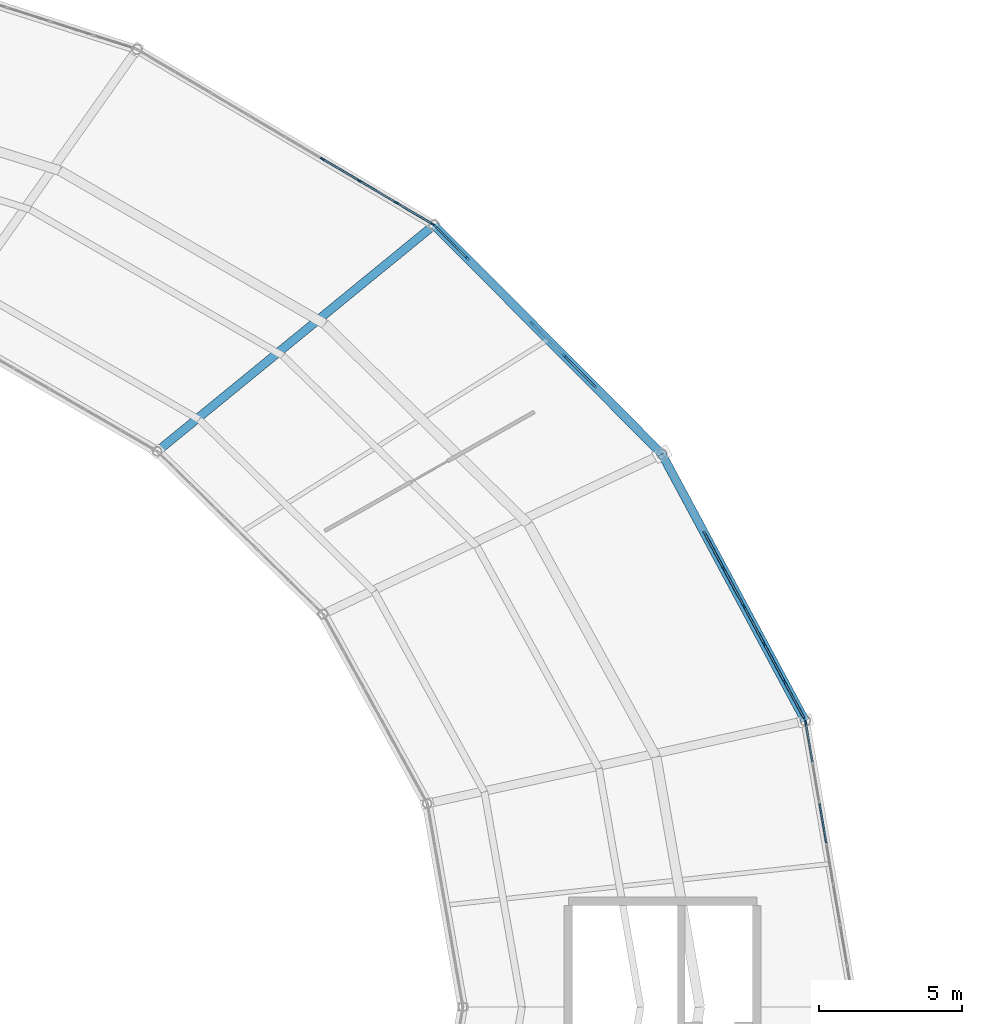
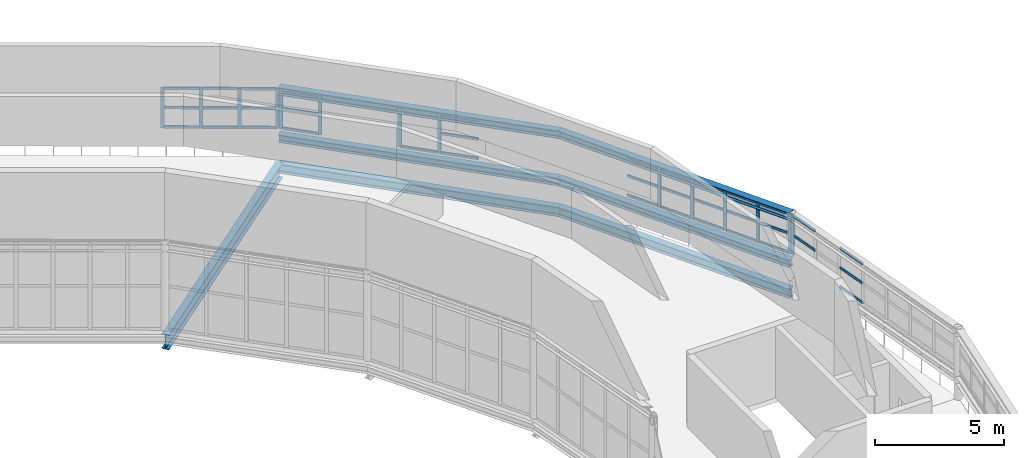
# One storey, part 68 of 123: 50 members, 7 beams, 4 elements without a shape of their own.
"""IFC4 building model written with IfcOpenShell, lengths in metres."""

from ifc_helpers import new_model, si_unit, direction, frame, origin, origin_2d, place, context, subcontext, project, spatial, rectangle, i_section, extrude, material, material_profile, profile_set, type_object, element, aggregate, save


model = new_model("IFC4")

# Units and contexts
model_context = context("Model", 3, precision=1e-05, world=origin(), true_north=direction((0.0, 1.0)))
body_context = subcontext(model_context, "Body", "Model", "MODEL_VIEW")
ifc_project = project(units=[si_unit("LENGTHUNIT", "METRE"), si_unit("AREAUNIT", "SQUARE_METRE"), si_unit("VOLUMEUNIT", "CUBIC_METRE"), si_unit("PLANEANGLEUNIT", "RADIAN"), si_unit("MASSUNIT", "GRAM", prefix="KILO")], contexts=[model_context])

# Site, building, storey
site_placement = place(None, origin())
site = spatial("IfcSite", under=ifc_project, at=site_placement, CompositionType="ELEMENT")
building_placement = place(site_placement, origin())
building = spatial("IfcBuilding", under=site, at=building_placement, Name="Kildeholm Park Wholesale Market", CompositionType="ELEMENT")
storey_placement = place(building_placement, frame((0.0, 0.0, 9.60009765625)))
storey = spatial("IfcBuildingStorey", under=building, at=storey_placement, Name="L02", CompositionType="ELEMENT", Elevation=9.60009765625)

# Beams
ifc_material_1 = material(Name="Steel S355", Category="steel")
ifc_material_profile_1 = material_profile(ifc_material_1, i_section(OverallWidth=0.300048828125, OverallDepth=0.699951171875, WebThickness=0.01708984375, FlangeThickness=0.031982421875, FilletRadius=0.027099609375, at=origin_2d()), Name="HEB 700")
ifc_profile_set_1 = profile_set([ifc_material_profile_1], Name="Steel S355")
beam_type_1 = type_object("IfcBeamType", Name="Beam B-G01 HEB 700", PredefinedType="BEAM", material=ifc_profile_set_1)
beam_1_placement = place(storey_placement, frame((124.80908203125, 108.945068359375, -0.60009765625), z_axis=(0.774216280002, 0.632921126034, 0.0), x_axis=(-0.632921126034, 0.774216280002, 0.0)))
element("IfcBeam", 1, at=beam_1_placement, inside=storey, type_object=beam_type_1, Name="Beam BM-V1-L02-R1-03 BM-0029", PredefinedType="BEAM", context=body_context, shape_type="SweptSolid", body=[
    extrude(i_section(OverallWidth=0.300048828125, OverallDepth=0.699951171875, WebThickness=0.01708984375, FlangeThickness=0.031982421875, FilletRadius=0.027099609375, at=origin_2d()), origin(), (0.0, 0.0, 1.0), 12.51318359375),
])
ifc_material_profile_2 = material_profile(ifc_material_1, i_section(OverallWidth=0.300048828125, OverallDepth=0.35009765625, WebThickness=0.010009765625, FlangeThickness=0.017578125, FilletRadius=0.027099609375, at=origin_2d()), Name="HEA 360")
ifc_profile_set_2 = profile_set([ifc_material_profile_2], Name="Steel S355")
beam_type_2 = type_object("IfcBeamType", Name="Beam B-R01 HEA 360", PredefinedType="BEAM", material=ifc_profile_set_2)
beam_2_placement = place(storey_placement, frame((147.489013671875, 99.51611328125, 0.9462890625), z_axis=(-0.473287580572, 0.880907978211, 0.0), x_axis=(-0.880907978211, -0.473287580572, 0.0)))
element("IfcBeam", 2, at=beam_2_placement, inside=storey, type_object=beam_type_2, Name="Beam BM-V1-S1IN-01 BM-0227", PredefinedType="BEAM", context=body_context, shape_type="SweptSolid", body=[
    extrude(i_section(OverallWidth=0.300048828125, OverallDepth=0.35009765625, WebThickness=0.010009765625, FlangeThickness=0.017578125, FilletRadius=0.027099609375, at=origin_2d()), origin(), (0.0, 0.0, 1.0), 10.595947265625),
])
beam_3_placement = place(storey_placement, frame((142.47412109375, 108.85009765625, 0.94580078125), z_axis=(-0.705431576708, 0.708778026313, 0.0), x_axis=(-0.708778026313, -0.705431576708, 0.0)))
element("IfcBeam", 3, at=beam_3_placement, inside=storey, type_object=beam_type_2, Name="Beam BM-V1-S1IN-02 BM-0233", PredefinedType="BEAM", context=body_context, shape_type="SweptSolid", body=[
    extrude(i_section(OverallWidth=0.300048828125, OverallDepth=0.35009765625, WebThickness=0.010009765625, FlangeThickness=0.017578125, FilletRadius=0.027099609375, at=origin_2d()), origin(), (0.0, 0.0, 1.0), 11.30810546875),
])
ifc_material_profile_3 = material_profile(ifc_material_1, i_section(OverallWidth=0.300048828125, OverallDepth=0.43994140625, WebThickness=0.011474609375, FlangeThickness=0.02099609375, FilletRadius=0.027099609375, at=origin_2d()), Name="HEA 450")
ifc_profile_set_3 = profile_set([ifc_material_profile_3], Name="Steel S355")
beam_type_3 = type_object("IfcBeamType", Name="Beam B-R02 HEA 450", PredefinedType="BEAM", material=ifc_profile_set_3)
beam_4_placement = place(storey_placement, frame((147.489013671875, 99.51611328125, -0.47412109375), z_axis=(-0.473287580572, 0.880907978211, 0.0), x_axis=(-0.880907978211, -0.473287580572, 0.0)))
element("IfcBeam", 4, at=beam_4_placement, inside=storey, type_object=beam_type_3, Name="Beam BM-V1-L02-CM-01 BM-0016", PredefinedType="BEAM", context=body_context, shape_type="SweptSolid", body=[
    extrude(i_section(OverallWidth=0.300048828125, OverallDepth=0.43994140625, WebThickness=0.011474609375, FlangeThickness=0.02099609375, FilletRadius=0.027099609375, at=origin_2d()), origin(), (0.0, 0.0, 1.0), 10.595947265625),
])
beam_5_placement = place(storey_placement, frame((142.47412109375, 108.85009765625, -0.47412109375), z_axis=(-0.705431576708, 0.708778026313, 0.0), x_axis=(-0.708778026313, -0.705431576708, 0.0)))
element("IfcBeam", 5, at=beam_5_placement, inside=storey, type_object=beam_type_3, Name="Beam BM-V1-L02-CM-02 BM-0025", PredefinedType="BEAM", context=body_context, shape_type="SweptSolid", body=[
    extrude(i_section(OverallWidth=0.300048828125, OverallDepth=0.43994140625, WebThickness=0.011474609375, FlangeThickness=0.02099609375, FilletRadius=0.027099609375, at=origin_2d()), origin(), (0.0, 0.0, 1.0), 11.30810546875),
])
ifc_material_profile_4 = material_profile(ifc_material_1, i_section(OverallWidth=0.300048828125, OverallDepth=0.360107421875, WebThickness=0.012451171875, FlangeThickness=0.0224609375, FilletRadius=0.027099609375, at=origin_2d()), Name="HEB 360")
ifc_profile_set_4 = profile_set([ifc_material_profile_4], Name="Steel S355")
beam_type_4 = type_object("IfcBeamType", Name="Beam B-R03 HEB 360", PredefinedType="BEAM", material=ifc_profile_set_4)
beam_6_placement = place(storey_placement, frame((147.489013671875, 99.51611328125, 3.189453125), z_axis=(-0.473287580572, 0.880907978211, 0.0), x_axis=(-0.880907978211, -0.473287580572, 0.0)))
element("IfcBeam", 6, at=beam_6_placement, inside=storey, type_object=beam_type_4, Name="Beam BM-V1-RF-M1-01 BM-0228", PredefinedType="BEAM", context=body_context, shape_type="SweptSolid", body=[
    extrude(i_section(OverallWidth=0.300048828125, OverallDepth=0.360107421875, WebThickness=0.012451171875, FlangeThickness=0.0224609375, FilletRadius=0.027099609375, at=origin_2d()), origin(), (0.0, 0.0, 1.0), 10.595947265625),
])
beam_7_placement = place(storey_placement, frame((142.47412109375, 108.85009765625, 3.188720703125), z_axis=(-0.705431576708, 0.708778026313, 0.0), x_axis=(-0.708778026313, -0.705431576708, 0.0)))
element("IfcBeam", 7, at=beam_7_placement, inside=storey, type_object=beam_type_4, Name="Beam BM-V1-RF-M1-02 BM-0234", PredefinedType="BEAM", context=body_context, shape_type="SweptSolid", body=[
    extrude(i_section(OverallWidth=0.300048828125, OverallDepth=0.360107421875, WebThickness=0.012451171875, FlangeThickness=0.0224609375, FilletRadius=0.027099609375, at=origin_2d()), origin(), (0.0, 0.0, 1.0), 11.30810546875),
])

# Curtain wall, member
ifc_material_2 = material(Name="Anodised aluminium and low-E double-glazed glass", Category="aluminium")
curtain_wall_type = type_object("IfcCurtainWallType", Name="Clerestory daylight stick curtain wall CW-02", PredefinedType="NOTDEFINED", material=ifc_material_2)
curtain_wall_1_placement = place(storey_placement, origin())
curtain_wall_1 = element("IfcCurtainWall", 8, at=curtain_wall_1_placement, inside=storey, type_object=curtain_wall_type, Name="Curtain wall CW-V1-CL-00 CW-0002", PredefinedType="NOTDEFINED")
ifc_material_3 = material(Name="Anodised aluminium", Category="aluminium")
ifc_material_profile_5 = material_profile(ifc_material_3, rectangle(XDim=0.06005859375, YDim=0.14990234375, at=origin_2d()), Name="CWM 60x150")
ifc_profile_set_5 = profile_set([ifc_material_profile_5], Name="Anodised aluminium")
member_type_1 = type_object("IfcMemberType", Name="Curtain-wall mullion CWM-3 CWM 60x150", PredefinedType="MULLION", material=ifc_profile_set_5)
member_1_placement = place(storey_placement, frame((147.508056640625, 99.448486328125, 1.349853515625), z_axis=(0.0, 0.0, 1.0), x_axis=(-0.985732010437, -0.168322320564, 0.0)))
member_1 = element("IfcMember", 9, at=member_1_placement, type_object=member_type_1, Name="CW-02 mullion 8 MEM-0434", PredefinedType="MULLION", context=body_context, shape_type="SweptSolid", body=[
    extrude(rectangle(XDim=0.06005859375, YDim=0.14990234375, at=origin_2d()), origin(), (0.0, 0.0, 1.0), 1.900146484375),
])

# Curtain wall, members
curtain_wall_2_placement = place(storey_placement, origin())
curtain_wall_2 = element("IfcCurtainWall", 10, at=curtain_wall_2_placement, inside=storey, type_object=curtain_wall_type, Name="Curtain wall CW-V1-CL-01 CW-0007", PredefinedType="NOTDEFINED")
member_2_placement = place(storey_placement, frame((147.462890625, 99.579345703125, 1.349853515625), z_axis=(0.0, 0.0, 1.0), x_axis=(-0.880879905062, -0.473339828092, 0.0)))
member_2 = element("IfcMember", 11, at=member_2_placement, type_object=member_type_1, Name="CW-02 mullion 1 MEM-0552", PredefinedType="MULLION", context=body_context, shape_type="SweptSolid", body=[
    extrude(rectangle(XDim=0.06005859375, YDim=0.14990234375, at=origin_2d()), origin(), (0.0, 0.0, 1.0), 1.900146484375),
])
member_3_placement = place(storey_placement, frame((146.765869140625, 100.87646484375, 1.349853515625), z_axis=(0.0, 0.0, 1.0), x_axis=(-0.880879905062, -0.473339828092, 0.0)))
member_3 = element("IfcMember", 12, at=member_3_placement, type_object=member_type_1, Name="CW-02 mullion 2 MEM-0553", PredefinedType="MULLION", context=body_context, shape_type="SweptSolid", body=[
    extrude(rectangle(XDim=0.06005859375, YDim=0.14990234375, at=origin_2d()), origin(), (0.0, 0.0, 1.0), 1.900146484375),
])
member_4_placement = place(storey_placement, frame((146.0546875, 102.199951171875, 1.349853515625), z_axis=(0.0, 0.0, 1.0), x_axis=(-0.880879905062, -0.473339828092, 0.0)))
member_4 = element("IfcMember", 13, at=member_4_placement, type_object=member_type_1, Name="CW-02 mullion 3 MEM-0554", PredefinedType="MULLION", context=body_context, shape_type="SweptSolid", body=[
    extrude(rectangle(XDim=0.06005859375, YDim=0.14990234375, at=origin_2d()), origin(), (0.0, 0.0, 1.0), 1.900146484375),
])
member_5_placement = place(storey_placement, frame((145.343505859375, 103.523193359375, 1.349853515625), z_axis=(0.0, 0.0, 1.0), x_axis=(-0.880879905062, -0.473339828092, 0.0)))
member_5 = element("IfcMember", 14, at=member_5_placement, type_object=member_type_1, Name="CW-02 mullion 4 MEM-0555", PredefinedType="MULLION", context=body_context, shape_type="SweptSolid", body=[
    extrude(rectangle(XDim=0.06005859375, YDim=0.14990234375, at=origin_2d()), origin(), (0.0, 0.0, 1.0), 1.900146484375),
])
member_6_placement = place(storey_placement, frame((144.63232421875, 104.8466796875, 1.349853515625), z_axis=(0.0, 0.0, 1.0), x_axis=(-0.880879905062, -0.473339828092, 0.0)))
member_6 = element("IfcMember", 15, at=member_6_placement, type_object=member_type_1, Name="CW-02 mullion 5 MEM-0556", PredefinedType="MULLION", context=body_context, shape_type="SweptSolid", body=[
    extrude(rectangle(XDim=0.06005859375, YDim=0.14990234375, at=origin_2d()), origin(), (0.0, 0.0, 1.0), 1.900146484375),
])

curtain_wall_3_placement = place(storey_placement, origin())
curtain_wall_3 = element("IfcCurtainWall", 16, at=curtain_wall_3_placement, inside=storey, type_object=curtain_wall_type, Name="Curtain wall CW-V1-CL-02 CW-0012", PredefinedType="NOTDEFINED")
member_7_placement = place(storey_placement, frame((139.056396484375, 112.2919921875, 1.349853515625), z_axis=(0.0, 0.0, 1.0), x_axis=(-0.708796820959, -0.705412692399, 0.0)))
member_7 = element("IfcMember", 17, at=member_7_placement, type_object=member_type_1, Name="CW-02 mullion 4 MEM-0684", PredefinedType="MULLION", context=body_context, shape_type="SweptSolid", body=[
    extrude(rectangle(XDim=0.06005859375, YDim=0.14990234375, at=origin_2d()), origin(), (0.0, 0.0, 1.0), 1.900146484375),
])
member_8_placement = place(storey_placement, frame((137.9248046875, 113.428955078125, 1.349853515625), z_axis=(0.0, 0.0, 1.0), x_axis=(-0.708796820959, -0.705412692399, 0.0)))
member_8 = element("IfcMember", 18, at=member_8_placement, type_object=member_type_1, Name="CW-02 mullion 5 MEM-0685", PredefinedType="MULLION", context=body_context, shape_type="SweptSolid", body=[
    extrude(rectangle(XDim=0.06005859375, YDim=0.14990234375, at=origin_2d()), origin(), (0.0, 0.0, 1.0), 1.900146484375),
])
member_9_placement = place(storey_placement, frame((135.66162109375, 115.702880859375, 1.349853515625), z_axis=(0.0, 0.0, 1.0), x_axis=(-0.708796820959, -0.705412692399, 0.0)))
member_9 = element("IfcMember", 19, at=member_9_placement, type_object=member_type_1, Name="CW-02 mullion 7 MEM-0687", PredefinedType="MULLION", context=body_context, shape_type="SweptSolid", body=[
    extrude(rectangle(XDim=0.06005859375, YDim=0.14990234375, at=origin_2d()), origin(), (0.0, 0.0, 1.0), 1.900146484375),
])
member_10_placement = place(storey_placement, frame((134.55126953125, 116.81884765625, 1.349853515625), z_axis=(0.0, 0.0, 1.0), x_axis=(-0.708796820959, -0.705412692399, 0.0)))
member_10 = element("IfcMember", 20, at=member_10_placement, type_object=member_type_1, Name="CW-02 mullion 8 MEM-0688", PredefinedType="MULLION", context=body_context, shape_type="SweptSolid", body=[
    extrude(rectangle(XDim=0.06005859375, YDim=0.14990234375, at=origin_2d()), origin(), (0.0, 0.0, 1.0), 1.900146484375),
])

curtain_wall_4_placement = place(storey_placement, origin())
curtain_wall_4 = element("IfcCurtainWall", 21, at=curtain_wall_4_placement, inside=storey, type_object=curtain_wall_type, Name="Curtain wall CW-V1-CL-03 CW-0017", PredefinedType="NOTDEFINED")
member_11_placement = place(storey_placement, frame((134.440185546875, 116.904296875, 1.349853515625), z_axis=(0.0, 0.0, 1.0), x_axis=(-0.509105492275, -0.860704129033, 0.0)))
member_11 = element("IfcMember", 22, at=member_11_placement, type_object=member_type_1, Name="CW-02 mullion 1 MEM-0810", PredefinedType="MULLION", context=body_context, shape_type="SweptSolid", body=[
    extrude(rectangle(XDim=0.06005859375, YDim=0.14990234375, at=origin_2d()), origin(), (0.0, 0.0, 1.0), 1.900146484375),
])
member_12_placement = place(storey_placement, frame((133.175048828125, 117.652587890625, 1.349853515625), z_axis=(0.0, 0.0, 1.0), x_axis=(-0.509105492275, -0.860704129033, 0.0)))
member_12 = element("IfcMember", 23, at=member_12_placement, type_object=member_type_1, Name="CW-02 mullion 2 MEM-0811", PredefinedType="MULLION", context=body_context, shape_type="SweptSolid", body=[
    extrude(rectangle(XDim=0.06005859375, YDim=0.14990234375, at=origin_2d()), origin(), (0.0, 0.0, 1.0), 1.900146484375),
])
member_13_placement = place(storey_placement, frame((131.884033203125, 118.416259765625, 1.349853515625), z_axis=(0.0, 0.0, 1.0), x_axis=(-0.509105492275, -0.860704129033, 0.0)))
member_13 = element("IfcMember", 24, at=member_13_placement, type_object=member_type_1, Name="CW-02 mullion 3 MEM-0812", PredefinedType="MULLION", context=body_context, shape_type="SweptSolid", body=[
    extrude(rectangle(XDim=0.06005859375, YDim=0.14990234375, at=origin_2d()), origin(), (0.0, 0.0, 1.0), 1.900146484375),
])
member_14_placement = place(storey_placement, frame((130.593017578125, 119.179931640625, 1.349853515625), z_axis=(0.0, 0.0, 1.0), x_axis=(-0.509105492275, -0.860704129033, 0.0)))
member_14 = element("IfcMember", 25, at=member_14_placement, type_object=member_type_1, Name="CW-02 mullion 4 MEM-0813", PredefinedType="MULLION", context=body_context, shape_type="SweptSolid", body=[
    extrude(rectangle(XDim=0.06005859375, YDim=0.14990234375, at=origin_2d()), origin(), (0.0, 0.0, 1.0), 1.900146484375),
])

# Member
ifc_material_profile_6 = material_profile(ifc_material_3, rectangle(XDim=0.06005859375, YDim=0.1201171875, at=origin_2d()), Name="CWT 60x120")
ifc_profile_set_6 = profile_set([ifc_material_profile_6], Name="Anodised aluminium")
member_type_2 = type_object("IfcMemberType", Name="Curtain-wall transom CWT-3 CWT 60x120", PredefinedType="USERDEFINED", material=ifc_profile_set_6)
member_15_placement = place(storey_placement, frame((148.225341796875, 95.24853515625, 1.3798828125), z_axis=(-0.168413853198, 0.985716376069, 0.0), x_axis=(-0.985716376069, -0.168413853198, 0.0)))
member_15 = element("IfcMember", 26, at=member_15_placement, type_object=member_type_2, Name="CW-02 transom 5.1 MEM-0447", ObjectType="TRANSOM", PredefinedType="USERDEFINED", context=body_context, shape_type="SweptSolid", body=[
    extrude(rectangle(XDim=0.06005859375, YDim=0.1201171875, at=origin_2d()), origin(), (0.0, 0.0, 1.0), 1.380126953125),
])

member_16_placement = place(storey_placement, frame((148.225341796875, 95.24853515625, 2.2998046875), z_axis=(-0.168413853198, 0.985716376069, 0.0), x_axis=(-0.985716376069, -0.168413853198, 0.0)))
member_16 = element("IfcMember", 27, at=member_16_placement, type_object=member_type_2, Name="CW-02 transom 5.2 MEM-0448", ObjectType="TRANSOM", PredefinedType="USERDEFINED", context=body_context, shape_type="SweptSolid", body=[
    extrude(rectangle(XDim=0.06005859375, YDim=0.1201171875, at=origin_2d()), origin(), (0.0, 0.0, 1.0), 1.380126953125),
])

member_17_placement = place(storey_placement, frame((148.225341796875, 95.24853515625, 3.219970703125), z_axis=(-0.168413853198, 0.985716376069, 0.0), x_axis=(-0.985716376069, -0.168413853198, 0.0)))
member_17 = element("IfcMember", 28, at=member_17_placement, type_object=member_type_2, Name="CW-02 transom 5.3 MEM-0449", ObjectType="TRANSOM", PredefinedType="USERDEFINED", context=body_context, shape_type="SweptSolid", body=[
    extrude(rectangle(XDim=0.06005859375, YDim=0.1201171875, at=origin_2d()), origin(), (0.0, 0.0, 1.0), 1.380126953125),
])

member_18_placement = place(storey_placement, frame((147.740478515625, 98.087890625, 2.2998046875), z_axis=(-0.168326457098, 0.985731304079, 0.0), x_axis=(-0.985731304079, -0.168326457098, 0.0)))
member_18 = element("IfcMember", 29, at=member_18_placement, type_object=member_type_2, Name="CW-02 transom 7.2 MEM-0454", ObjectType="TRANSOM", PredefinedType="USERDEFINED", context=body_context, shape_type="SweptSolid", body=[
    extrude(rectangle(XDim=0.06005859375, YDim=0.1201171875, at=origin_2d()), origin(), (0.0, 0.0, 1.0), 1.350341796875),
])

member_19_placement = place(storey_placement, frame((147.740478515625, 98.087890625, 3.219970703125), z_axis=(-0.168326457098, 0.985731304079, 0.0), x_axis=(-0.985731304079, -0.168326457098, 0.0)))
member_19 = element("IfcMember", 30, at=member_19_placement, type_object=member_type_2, Name="CW-02 transom 7.3 MEM-0455", ObjectType="TRANSOM", PredefinedType="USERDEFINED", context=body_context, shape_type="SweptSolid", body=[
    extrude(rectangle(XDim=0.06005859375, YDim=0.1201171875, at=origin_2d()), origin(), (0.0, 0.0, 1.0), 1.350341796875),
])

aggregate(curtain_wall_1, [member_1, member_15, member_16, member_17, member_18, member_19])

member_20_placement = place(storey_placement, frame((147.448486328125, 99.60595703125, 1.3798828125), z_axis=(-0.473295580146, 0.880903680214, 0.0), x_axis=(-0.880903680214, -0.473295580146, 0.0)))
member_20 = element("IfcMember", 31, at=member_20_placement, type_object=member_type_2, Name="CW-02 transom 1.1 MEM-0560", ObjectType="TRANSOM", PredefinedType="USERDEFINED", context=body_context, shape_type="SweptSolid", body=[
    extrude(rectangle(XDim=0.06005859375, YDim=0.1201171875, at=origin_2d()), origin(), (0.0, 0.0, 1.0), 1.412353515625),
])

member_21_placement = place(storey_placement, frame((147.448486328125, 99.60595703125, 2.2998046875), z_axis=(-0.473295580146, 0.880903680214, 0.0), x_axis=(-0.880903680214, -0.473295580146, 0.0)))
member_21 = element("IfcMember", 32, at=member_21_placement, type_object=member_type_2, Name="CW-02 transom 1.2 MEM-0561", ObjectType="TRANSOM", PredefinedType="USERDEFINED", context=body_context, shape_type="SweptSolid", body=[
    extrude(rectangle(XDim=0.06005859375, YDim=0.1201171875, at=origin_2d()), origin(), (0.0, 0.0, 1.0), 1.412353515625),
])

member_22_placement = place(storey_placement, frame((147.448486328125, 99.60595703125, 3.219970703125), z_axis=(-0.473295580146, 0.880903680214, 0.0), x_axis=(-0.880903680214, -0.473295580146, 0.0)))
member_22 = element("IfcMember", 33, at=member_22_placement, type_object=member_type_2, Name="CW-02 transom 1.3 MEM-0562", ObjectType="TRANSOM", PredefinedType="USERDEFINED", context=body_context, shape_type="SweptSolid", body=[
    extrude(rectangle(XDim=0.06005859375, YDim=0.1201171875, at=origin_2d()), origin(), (0.0, 0.0, 1.0), 1.412353515625),
])

member_23_placement = place(storey_placement, frame((146.751708984375, 100.90283203125, 1.3798828125), z_axis=(-0.473423415048, 0.880834984594, 0.0), x_axis=(-0.880834984594, -0.473423415048, 0.0)))
member_23 = element("IfcMember", 34, at=member_23_placement, type_object=member_type_2, Name="CW-02 transom 2.1 MEM-0563", ObjectType="TRANSOM", PredefinedType="USERDEFINED", context=body_context, shape_type="SweptSolid", body=[
    extrude(rectangle(XDim=0.06005859375, YDim=0.1201171875, at=origin_2d()), origin(), (0.0, 0.0, 1.0), 1.4423828125),
])

member_24_placement = place(storey_placement, frame((146.751708984375, 100.90283203125, 2.2998046875), z_axis=(-0.473423415048, 0.880834984594, 0.0), x_axis=(-0.880834984594, -0.473423415048, 0.0)))
member_24 = element("IfcMember", 35, at=member_24_placement, type_object=member_type_2, Name="CW-02 transom 2.2 MEM-0564", ObjectType="TRANSOM", PredefinedType="USERDEFINED", context=body_context, shape_type="SweptSolid", body=[
    extrude(rectangle(XDim=0.06005859375, YDim=0.1201171875, at=origin_2d()), origin(), (0.0, 0.0, 1.0), 1.4423828125),
])

member_25_placement = place(storey_placement, frame((146.751708984375, 100.90283203125, 3.219970703125), z_axis=(-0.473423415048, 0.880834984594, 0.0), x_axis=(-0.880834984594, -0.473423415048, 0.0)))
member_25 = element("IfcMember", 36, at=member_25_placement, type_object=member_type_2, Name="CW-02 transom 2.3 MEM-0565", ObjectType="TRANSOM", PredefinedType="USERDEFINED", context=body_context, shape_type="SweptSolid", body=[
    extrude(rectangle(XDim=0.06005859375, YDim=0.1201171875, at=origin_2d()), origin(), (0.0, 0.0, 1.0), 1.4423828125),
])

member_26_placement = place(storey_placement, frame((146.04052734375, 102.226318359375, 1.3798828125), z_axis=(-0.473423415048, 0.880834984594, 0.0), x_axis=(-0.880834984594, -0.473423415048, 0.0)))
member_26 = element("IfcMember", 37, at=member_26_placement, type_object=member_type_2, Name="CW-02 transom 3.1 MEM-0566", ObjectType="TRANSOM", PredefinedType="USERDEFINED", context=body_context, shape_type="SweptSolid", body=[
    extrude(rectangle(XDim=0.06005859375, YDim=0.1201171875, at=origin_2d()), origin(), (0.0, 0.0, 1.0), 1.4423828125),
])

member_27_placement = place(storey_placement, frame((146.04052734375, 102.226318359375, 2.2998046875), z_axis=(-0.473423415048, 0.880834984594, 0.0), x_axis=(-0.880834984594, -0.473423415048, 0.0)))
member_27 = element("IfcMember", 38, at=member_27_placement, type_object=member_type_2, Name="CW-02 transom 3.2 MEM-0567", ObjectType="TRANSOM", PredefinedType="USERDEFINED", context=body_context, shape_type="SweptSolid", body=[
    extrude(rectangle(XDim=0.06005859375, YDim=0.1201171875, at=origin_2d()), origin(), (0.0, 0.0, 1.0), 1.4423828125),
])

member_28_placement = place(storey_placement, frame((146.04052734375, 102.226318359375, 3.219970703125), z_axis=(-0.473423415048, 0.880834984594, 0.0), x_axis=(-0.880834984594, -0.473423415048, 0.0)))
member_28 = element("IfcMember", 39, at=member_28_placement, type_object=member_type_2, Name="CW-02 transom 3.3 MEM-0568", ObjectType="TRANSOM", PredefinedType="USERDEFINED", context=body_context, shape_type="SweptSolid", body=[
    extrude(rectangle(XDim=0.06005859375, YDim=0.1201171875, at=origin_2d()), origin(), (0.0, 0.0, 1.0), 1.4423828125),
])

member_29_placement = place(storey_placement, frame((145.329345703125, 103.5498046875, 1.3798828125), z_axis=(-0.473292074574, 0.880905563693, 0.0), x_axis=(-0.880905563693, -0.473292074574, 0.0)))
member_29 = element("IfcMember", 40, at=member_29_placement, type_object=member_type_2, Name="CW-02 transom 4.1 MEM-0569", ObjectType="TRANSOM", PredefinedType="USERDEFINED", context=body_context, shape_type="SweptSolid", body=[
    extrude(rectangle(XDim=0.06005859375, YDim=0.1201171875, at=origin_2d()), origin(), (0.0, 0.0, 1.0), 1.4423828125),
])

member_30_placement = place(storey_placement, frame((145.329345703125, 103.5498046875, 2.2998046875), z_axis=(-0.473292074574, 0.880905563693, 0.0), x_axis=(-0.880905563693, -0.473292074574, 0.0)))
member_30 = element("IfcMember", 41, at=member_30_placement, type_object=member_type_2, Name="CW-02 transom 4.2 MEM-0570", ObjectType="TRANSOM", PredefinedType="USERDEFINED", context=body_context, shape_type="SweptSolid", body=[
    extrude(rectangle(XDim=0.06005859375, YDim=0.1201171875, at=origin_2d()), origin(), (0.0, 0.0, 1.0), 1.4423828125),
])

member_31_placement = place(storey_placement, frame((145.329345703125, 103.5498046875, 3.219970703125), z_axis=(-0.473292074574, 0.880905563693, 0.0), x_axis=(-0.880905563693, -0.473292074574, 0.0)))
member_31 = element("IfcMember", 42, at=member_31_placement, type_object=member_type_2, Name="CW-02 transom 4.3 MEM-0571", ObjectType="TRANSOM", PredefinedType="USERDEFINED", context=body_context, shape_type="SweptSolid", body=[
    extrude(rectangle(XDim=0.06005859375, YDim=0.1201171875, at=origin_2d()), origin(), (0.0, 0.0, 1.0), 1.4423828125),
])

member_32_placement = place(storey_placement, frame((144.6181640625, 104.873046875, 1.3798828125), z_axis=(-0.473221508617, 0.880943473659, 0.0), x_axis=(-0.880943473659, -0.473221508617, 0.0)))
member_32 = element("IfcMember", 43, at=member_32_placement, type_object=member_type_2, Name="CW-02 transom 5.1 MEM-0572", ObjectType="TRANSOM", PredefinedType="USERDEFINED", context=body_context, shape_type="SweptSolid", body=[
    extrude(rectangle(XDim=0.06005859375, YDim=0.1201171875, at=origin_2d()), origin(), (0.0, 0.0, 1.0), 1.4423828125),
])

member_33_placement = place(storey_placement, frame((144.6181640625, 104.873046875, 2.2998046875), z_axis=(-0.473221508617, 0.880943473659, 0.0), x_axis=(-0.880943473659, -0.473221508617, 0.0)))
member_33 = element("IfcMember", 44, at=member_33_placement, type_object=member_type_2, Name="CW-02 transom 5.2 MEM-0573", ObjectType="TRANSOM", PredefinedType="USERDEFINED", context=body_context, shape_type="SweptSolid", body=[
    extrude(rectangle(XDim=0.06005859375, YDim=0.1201171875, at=origin_2d()), origin(), (0.0, 0.0, 1.0), 1.4423828125),
])

member_34_placement = place(storey_placement, frame((144.6181640625, 104.873046875, 3.219970703125), z_axis=(-0.473221508617, 0.880943473659, 0.0), x_axis=(-0.880943473659, -0.473221508617, 0.0)))
member_34 = element("IfcMember", 45, at=member_34_placement, type_object=member_type_2, Name="CW-02 transom 5.3 MEM-0574", ObjectType="TRANSOM", PredefinedType="USERDEFINED", context=body_context, shape_type="SweptSolid", body=[
    extrude(rectangle(XDim=0.06005859375, YDim=0.1201171875, at=origin_2d()), origin(), (0.0, 0.0, 1.0), 1.4423828125),
])

aggregate(curtain_wall_2, [member_2, member_3, member_4, member_5, member_6, member_20, member_21, member_22, member_23, member_24, member_25, member_26, member_27, member_28, member_29, member_30, member_31, member_32, member_33, member_34])

member_35_placement = place(storey_placement, frame((140.166748046875, 111.17626953125, 1.3798828125), z_axis=(-0.705444776486, 0.708764888612, 0.0), x_axis=(-0.708764888612, -0.705444776486, 0.0)))
member_35 = element("IfcMember", 46, at=member_35_placement, type_object=member_type_2, Name="CW-02 transom 3.1 MEM-0695", ObjectType="TRANSOM", PredefinedType="USERDEFINED", context=body_context, shape_type="SweptSolid", body=[
    extrude(rectangle(XDim=0.06005859375, YDim=0.1201171875, at=origin_2d()), origin(), (0.0, 0.0, 1.0), 1.544189453125),
])

member_36_placement = place(storey_placement, frame((140.166748046875, 111.17626953125, 2.2998046875), z_axis=(-0.705444776486, 0.708764888612, 0.0), x_axis=(-0.708764888612, -0.705444776486, 0.0)))
member_36 = element("IfcMember", 47, at=member_36_placement, type_object=member_type_2, Name="CW-02 transom 3.2 MEM-0696", ObjectType="TRANSOM", PredefinedType="USERDEFINED", context=body_context, shape_type="SweptSolid", body=[
    extrude(rectangle(XDim=0.06005859375, YDim=0.1201171875, at=origin_2d()), origin(), (0.0, 0.0, 1.0), 1.544189453125),
])

member_37_placement = place(storey_placement, frame((140.166748046875, 111.17626953125, 3.219970703125), z_axis=(-0.705444776486, 0.708764888612, 0.0), x_axis=(-0.708764888612, -0.705444776486, 0.0)))
member_37 = element("IfcMember", 48, at=member_37_placement, type_object=member_type_2, Name="CW-02 transom 3.3 MEM-0697", ObjectType="TRANSOM", PredefinedType="USERDEFINED", context=body_context, shape_type="SweptSolid", body=[
    extrude(rectangle(XDim=0.06005859375, YDim=0.1201171875, at=origin_2d()), origin(), (0.0, 0.0, 1.0), 1.544189453125),
])

member_38_placement = place(storey_placement, frame((139.03515625, 112.313232421875, 1.3798828125), z_axis=(-0.705444776486, 0.708764888612, 0.0), x_axis=(-0.708764888612, -0.705444776486, 0.0)))
member_38 = element("IfcMember", 49, at=member_38_placement, type_object=member_type_2, Name="CW-02 transom 4.1 MEM-0698", ObjectType="TRANSOM", PredefinedType="USERDEFINED", context=body_context, shape_type="SweptSolid", body=[
    extrude(rectangle(XDim=0.06005859375, YDim=0.1201171875, at=origin_2d()), origin(), (0.0, 0.0, 1.0), 1.544189453125),
])

member_39_placement = place(storey_placement, frame((135.640380859375, 115.724365234375, 1.3798828125), z_axis=(-0.705492388442, 0.708717496504, 0.0), x_axis=(-0.708717496504, -0.705492388442, 0.0)))
member_39 = element("IfcMember", 50, at=member_39_placement, type_object=member_type_2, Name="CW-02 transom 7.1 MEM-0707", ObjectType="TRANSOM", PredefinedType="USERDEFINED", context=body_context, shape_type="SweptSolid", body=[
    extrude(rectangle(XDim=0.06005859375, YDim=0.1201171875, at=origin_2d()), origin(), (0.0, 0.0, 1.0), 1.513916015625),
])

member_40_placement = place(storey_placement, frame((135.640380859375, 115.724365234375, 2.2998046875), z_axis=(-0.705492388442, 0.708717496504, 0.0), x_axis=(-0.708717496504, -0.705492388442, 0.0)))
member_40 = element("IfcMember", 51, at=member_40_placement, type_object=member_type_2, Name="CW-02 transom 7.2 MEM-0708", ObjectType="TRANSOM", PredefinedType="USERDEFINED", context=body_context, shape_type="SweptSolid", body=[
    extrude(rectangle(XDim=0.06005859375, YDim=0.1201171875, at=origin_2d()), origin(), (0.0, 0.0, 1.0), 1.513916015625),
])

member_41_placement = place(storey_placement, frame((135.640380859375, 115.724365234375, 3.219970703125), z_axis=(-0.705492388442, 0.708717496504, 0.0), x_axis=(-0.708717496504, -0.705492388442, 0.0)))
member_41 = element("IfcMember", 52, at=member_41_placement, type_object=member_type_2, Name="CW-02 transom 7.3 MEM-0709", ObjectType="TRANSOM", PredefinedType="USERDEFINED", context=body_context, shape_type="SweptSolid", body=[
    extrude(rectangle(XDim=0.06005859375, YDim=0.1201171875, at=origin_2d()), origin(), (0.0, 0.0, 1.0), 1.513916015625),
])

aggregate(curtain_wall_3, [member_7, member_8, member_9, member_10, member_35, member_36, member_37, member_38, member_39, member_40, member_41])

member_42_placement = place(storey_placement, frame((134.414306640625, 116.91943359375, 1.3798828125), z_axis=(-0.860609208808, 0.509265932214, 0.0), x_axis=(-0.509265932214, -0.860609208808, 0.0)))
member_42 = element("IfcMember", 53, at=member_42_placement, type_object=member_type_2, Name="CW-02 transom 1.1 MEM-0819", ObjectType="TRANSOM", PredefinedType="USERDEFINED", context=body_context, shape_type="SweptSolid", body=[
    extrude(rectangle(XDim=0.06005859375, YDim=0.1201171875, at=origin_2d()), origin(), (0.0, 0.0, 1.0), 1.409912109375),
])

member_43_placement = place(storey_placement, frame((134.414306640625, 116.91943359375, 2.2998046875), z_axis=(-0.860609208808, 0.509265932214, 0.0), x_axis=(-0.509265932214, -0.860609208808, 0.0)))
member_43 = element("IfcMember", 54, at=member_43_placement, type_object=member_type_2, Name="CW-02 transom 1.2 MEM-0820", ObjectType="TRANSOM", PredefinedType="USERDEFINED", context=body_context, shape_type="SweptSolid", body=[
    extrude(rectangle(XDim=0.06005859375, YDim=0.1201171875, at=origin_2d()), origin(), (0.0, 0.0, 1.0), 1.409912109375),
])

member_44_placement = place(storey_placement, frame((134.414306640625, 116.91943359375, 3.219970703125), z_axis=(-0.860609208808, 0.509265932214, 0.0), x_axis=(-0.509265932214, -0.860609208808, 0.0)))
member_44 = element("IfcMember", 55, at=member_44_placement, type_object=member_type_2, Name="CW-02 transom 1.3 MEM-0821", ObjectType="TRANSOM", PredefinedType="USERDEFINED", context=body_context, shape_type="SweptSolid", body=[
    extrude(rectangle(XDim=0.06005859375, YDim=0.1201171875, at=origin_2d()), origin(), (0.0, 0.0, 1.0), 1.409912109375),
])

member_45_placement = place(storey_placement, frame((133.149169921875, 117.66796875, 1.3798828125), z_axis=(-0.860737422869, 0.509049200838, 0.0), x_axis=(-0.509049200838, -0.860737422869, 0.0)))
member_45 = element("IfcMember", 56, at=member_45_placement, type_object=member_type_2, Name="CW-02 transom 2.1 MEM-0822", ObjectType="TRANSOM", PredefinedType="USERDEFINED", context=body_context, shape_type="SweptSolid", body=[
    extrude(rectangle(XDim=0.06005859375, YDim=0.1201171875, at=origin_2d()), origin(), (0.0, 0.0, 1.0), 1.439697265625),
])

member_46_placement = place(storey_placement, frame((133.149169921875, 117.66796875, 2.2998046875), z_axis=(-0.860737422869, 0.509049200838, 0.0), x_axis=(-0.509049200838, -0.860737422869, 0.0)))
member_46 = element("IfcMember", 57, at=member_46_placement, type_object=member_type_2, Name="CW-02 transom 2.2 MEM-0823", ObjectType="TRANSOM", PredefinedType="USERDEFINED", context=body_context, shape_type="SweptSolid", body=[
    extrude(rectangle(XDim=0.06005859375, YDim=0.1201171875, at=origin_2d()), origin(), (0.0, 0.0, 1.0), 1.439697265625),
])

member_47_placement = place(storey_placement, frame((133.149169921875, 117.66796875, 3.219970703125), z_axis=(-0.860737422869, 0.509049200838, 0.0), x_axis=(-0.509049200838, -0.860737422869, 0.0)))
member_47 = element("IfcMember", 58, at=member_47_placement, type_object=member_type_2, Name="CW-02 transom 2.3 MEM-0824", ObjectType="TRANSOM", PredefinedType="USERDEFINED", context=body_context, shape_type="SweptSolid", body=[
    extrude(rectangle(XDim=0.06005859375, YDim=0.1201171875, at=origin_2d()), origin(), (0.0, 0.0, 1.0), 1.439697265625),
])

member_48_placement = place(storey_placement, frame((131.858154296875, 118.431640625, 1.3798828125), z_axis=(-0.860737422869, 0.509049200838, 0.0), x_axis=(-0.509049200838, -0.860737422869, 0.0)))
member_48 = element("IfcMember", 59, at=member_48_placement, type_object=member_type_2, Name="CW-02 transom 3.1 MEM-0825", ObjectType="TRANSOM", PredefinedType="USERDEFINED", context=body_context, shape_type="SweptSolid", body=[
    extrude(rectangle(XDim=0.06005859375, YDim=0.1201171875, at=origin_2d()), origin(), (0.0, 0.0, 1.0), 1.439697265625),
])

member_49_placement = place(storey_placement, frame((131.858154296875, 118.431640625, 2.2998046875), z_axis=(-0.860737422869, 0.509049200838, 0.0), x_axis=(-0.509049200838, -0.860737422869, 0.0)))
member_49 = element("IfcMember", 60, at=member_49_placement, type_object=member_type_2, Name="CW-02 transom 3.2 MEM-0826", ObjectType="TRANSOM", PredefinedType="USERDEFINED", context=body_context, shape_type="SweptSolid", body=[
    extrude(rectangle(XDim=0.06005859375, YDim=0.1201171875, at=origin_2d()), origin(), (0.0, 0.0, 1.0), 1.439697265625),
])

member_50_placement = place(storey_placement, frame((131.858154296875, 118.431640625, 3.219970703125), z_axis=(-0.860737422869, 0.509049200838, 0.0), x_axis=(-0.509049200838, -0.860737422869, 0.0)))
member_50 = element("IfcMember", 61, at=member_50_placement, type_object=member_type_2, Name="CW-02 transom 3.3 MEM-0827", ObjectType="TRANSOM", PredefinedType="USERDEFINED", context=body_context, shape_type="SweptSolid", body=[
    extrude(rectangle(XDim=0.06005859375, YDim=0.1201171875, at=origin_2d()), origin(), (0.0, 0.0, 1.0), 1.439697265625),
])

aggregate(curtain_wall_4, [member_11, member_12, member_13, member_14, member_42, member_43, member_44, member_45, member_46, member_47, member_48, member_49, member_50])

save(model, "model.ifc")
